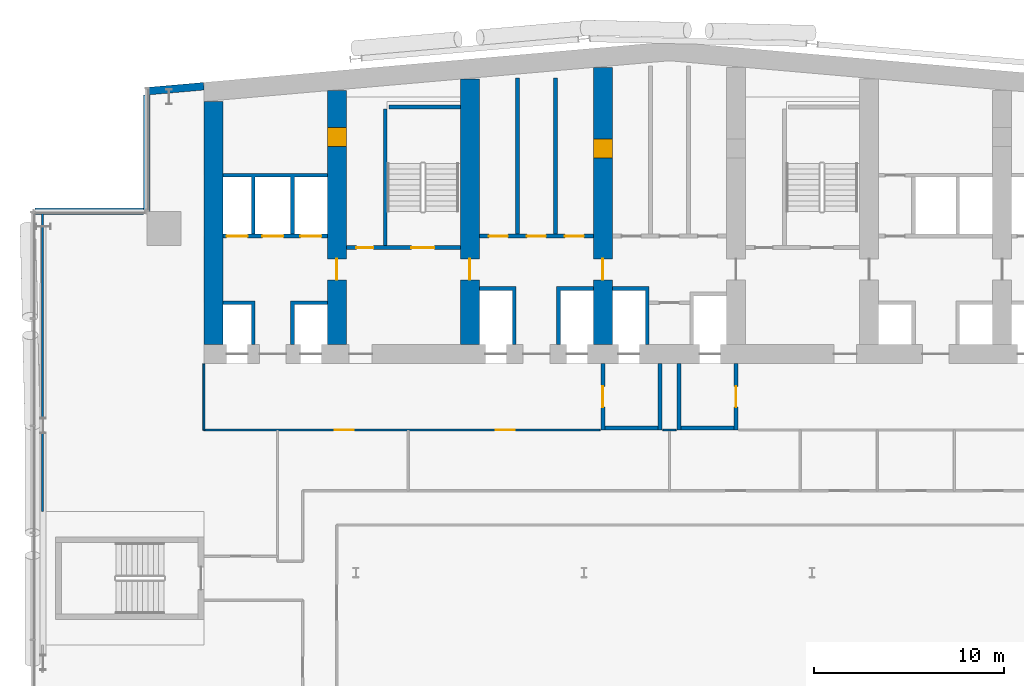
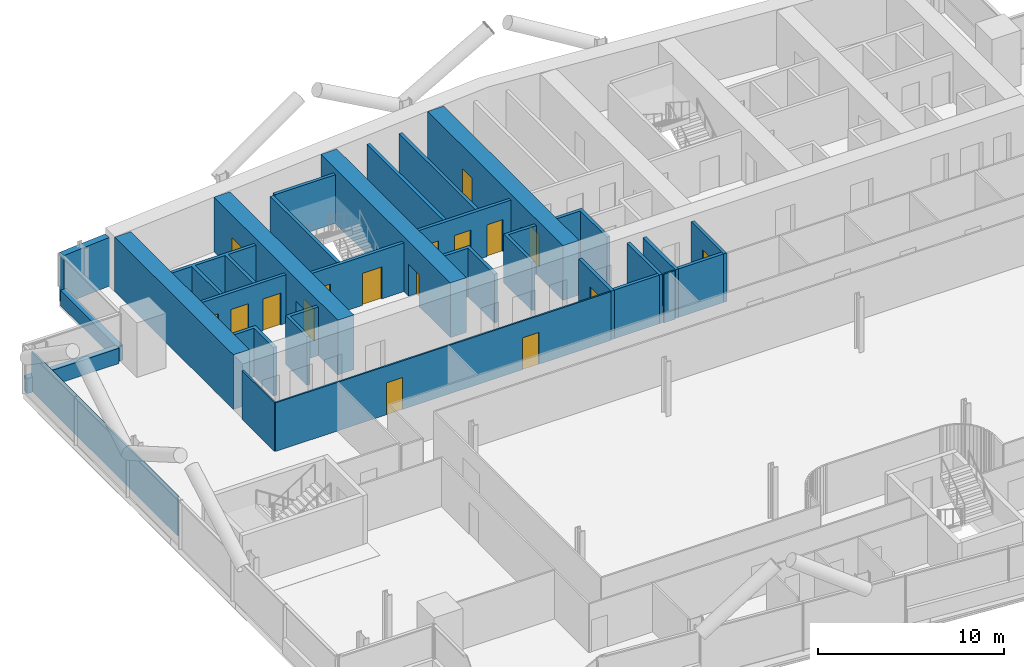
# One storey, part 20 of 30: 30 walls, 17 doors, 17 openings.
"""IFC4 building model written with IfcOpenShell, lengths in metres."""

from ifc_helpers import new_model, si_unit, direction, frame, frame_2d, origin, place, context, subcontext, project, spatial, polyline, rectangle, outline, extrude, material, layer, layer_set, type_object, element, fill, save


model = new_model("IFC4")

# Units and contexts
model_context = context("Model", 3, precision=1e-05, world=origin(), true_north=direction((0.0, 1.0)))
body_context = subcontext(model_context, "Body", "Model", "MODEL_VIEW")
ifc_project = project(units=[si_unit("LENGTHUNIT", "METRE"), si_unit("AREAUNIT", "SQUARE_METRE"), si_unit("VOLUMEUNIT", "CUBIC_METRE"), si_unit("PLANEANGLEUNIT", "RADIAN"), si_unit("MASSUNIT", "GRAM", prefix="KILO")], contexts=[model_context])

# Site, building, storey
site_placement = place(None, origin())
site = spatial("IfcSite", under=ifc_project, at=site_placement, CompositionType="ELEMENT")
building_placement = place(site_placement, origin())
building = spatial("IfcBuilding", under=site, at=building_placement, Name="Wharfspan Tower", CompositionType="ELEMENT")
storey_placement = place(building_placement, frame((0.0, 0.0, 107.5)))
storey = spatial("IfcBuildingStorey", under=building, at=storey_placement, Name="L24", CompositionType="ELEMENT", Elevation=107.5)

# Wall
ifc_material_1 = material(Name="Gypsum board on steel studs", Category="steel")
ifc_layer_1 = layer(ifc_material_1, 0.100098)
ifc_layer_set_1 = layer_set([ifc_layer_1], Name="Gypsum board on steel studs")
wall_type_1 = type_object("IfcWallType", Name="Compartment wall 100 EI 60", PredefinedType="PARTITIONING", material=ifc_layer_set_1)
wall_1_placement = place(storey_placement, frame((16.0, 30.5, 0.0), z_axis=(0.0, 0.0, 1.0), x_axis=(0.0, 1.0, 0.0)))
element("IfcWall", 1, at=wall_1_placement, inside=storey, type_object=wall_type_1, Name="Partition L24.w004", PredefinedType="PARTITIONING", context=body_context, shape_type="SweptSolid", body=[
    extrude(rectangle(XDim=3.47998, YDim=0.100098, at=frame_2d((1.73999, 0.0))), origin(), (0.0, 0.0, 1.0), 3.199951),
])

# Wall, openings, doors
wall_2_placement = place(storey_placement, frame((16.0, 30.5, 0.0), z_axis=(0.0, 0.0, 1.0), x_axis=(1.0, 0.0, 0.0)))
wall_2 = element("IfcWall", 2, at=wall_2_placement, inside=storey, type_object=wall_type_1, Name="Partition L24.w005", PredefinedType="PARTITIONING", context=body_context, shape_type="SweptSolid", body=[
    extrude(rectangle(XDim=20.850098, YDim=0.100098, at=frame_2d((10.425049, 0.0))), origin(), (0.0, 0.0, 1.0), 3.199951),
])
opening_1_placement = place(wall_2_placement, frame((6.89502, 0.0, 0.0)))
opening_1 = element("IfcOpeningElement", 3, at=opening_1_placement, cuts=wall_2, Name="Opening B2-20", PredefinedType="OPENING", context=body_context, shape_type="SweptSolid", body=[
    extrude(rectangle(XDim=1.0, YDim=2.100098, at=frame_2d((0.5, 1.050049))), frame((0.0, 0.060059, 0.0), z_axis=(0.0, -1.0, 0.0), x_axis=(1.0, 0.0, 0.0)), (0.0, 0.0, 1.0), 0.120117),
])
opening_2_placement = place(wall_2_placement, frame((15.370117, 0.0, 0.0)))
opening_2 = element("IfcOpeningElement", 4, at=opening_2_placement, cuts=wall_2, Name="Opening B2-21", PredefinedType="OPENING", context=body_context, shape_type="SweptSolid", body=[
    extrude(rectangle(XDim=1.0, YDim=2.100098, at=frame_2d((0.5, 1.050049))), frame((0.0, 0.060059, 0.0), z_axis=(0.0, -1.0, 0.0), x_axis=(1.0, 0.0, 0.0)), (0.0, 0.0, 1.0), 0.120117),
])
ifc_material_2 = material(Name="Fire-rated timber door leaf in steel frame", Category="steel")
door_type_1 = type_object("IfcDoorType", Name="Door 1000 FD30S Left", OperationType="SINGLE_SWING_LEFT", PredefinedType="DOOR", material=ifc_material_2)
door_1_placement = place(opening_1_placement, origin())
door_1 = element("IfcDoor", 5, at=door_1_placement, inside=storey, type_object=door_type_1, Name="Door B2-20", OperationType="SINGLE_SWING_LEFT", OverallHeight=2.100098, OverallWidth=1.0, PredefinedType="DOOR", context=body_context, shape_type="SweptSolid", body=[
    extrude(rectangle(XDim=1.0, YDim=2.100098, at=frame_2d((0.5, 1.050049))), frame((0.0, 0.024902, 0.0), z_axis=(0.0, -1.0, 0.0), x_axis=(1.0, 0.0, 0.0)), (0.0, 0.0, 1.0), 0.050049),
])
fill(opening_1, door_1)
door_2_placement = place(opening_2_placement, origin())
door_2 = element("IfcDoor", 6, at=door_2_placement, inside=storey, type_object=door_type_1, Name="Door B2-21", OperationType="SINGLE_SWING_LEFT", OverallHeight=2.100098, OverallWidth=1.0, PredefinedType="DOOR", context=body_context, shape_type="SweptSolid", body=[
    extrude(rectangle(XDim=1.0, YDim=2.100098, at=frame_2d((0.5, 1.050049))), frame((0.0, 0.024902, 0.0), z_axis=(0.0, -1.0, 0.0), x_axis=(1.0, 0.0, 0.0)), (0.0, 0.0, 1.0), 0.050049),
])
fill(opening_2, door_2)

# Walls
wall_3_placement = place(storey_placement, frame((40.149902, 30.5, 0.0), z_axis=(0.0, 0.0, 1.0), x_axis=(1.0, 0.0, 0.0)))
element("IfcWall", 7, at=wall_3_placement, inside=storey, type_object=wall_type_1, Name="Partition L24.w005 (2)", PredefinedType="PARTITIONING", context=body_context, shape_type="SweptSolid", body=[
    extrude(rectangle(XDim=0.700195, YDim=0.100098, at=frame_2d((0.350098, 0.0))), origin(), (0.0, 0.0, 1.0), 3.199951),
])
ifc_material_3 = material(Name="Calcium silicate masonry", Category="masonry")
ifc_layer_2 = layer(ifc_material_3, 0.199951)
ifc_layer_set_2 = layer_set([ifc_layer_2], Name="Calcium silicate masonry")
wall_type_2 = type_object("IfcWallType", Name="Core room wall 200", PredefinedType="PARTITIONING", material=ifc_layer_set_2)
for number, where, z_axis, x_axis, name in (
    (8, (32.5, 40.800049, 0.0), (0.0, 0.0, 1.0), (0.0, 1.0, 0.0), "sw:L24:RP3.1"),
    (9, (34.5, 40.800049, 0.0), (0.0, 0.0, 1.0), (0.0, 1.0, 0.0), "sw:L24:RP3.2"),
):
    element("IfcWall", number, at=place(storey_placement, frame(where, z_axis=z_axis, x_axis=x_axis)), inside=storey, type_object=wall_type_2, Name=name, PredefinedType="PARTITIONING", context=body_context, shape_type="SweptSolid", body=[
        extrude(rectangle(XDim=8.232178, YDim=0.199951, at=frame_2d((4.116211, 0.0))), origin(), (0.0, 0.0, 1.0), 3.199951),
    ])
ifc_material_4 = material(Name="Concrete C70/85", Category="concrete")
ifc_layer_3 = layer(ifc_material_4, 1.0)
ifc_layer_set_3 = layer_set([ifc_layer_3], Name="Concrete C70/85")
wall_type_3 = type_object("IfcWallType", Name="Core wall 1000 C70/85", PredefinedType="SHEAR", material=ifc_layer_set_3)
wall_4_placement = place(storey_placement, frame((16.5, 35.0, 0.0), z_axis=(0.0, 0.0, 1.0), x_axis=(0.0, 1.0, 0.0)))
element("IfcWall", 10, at=wall_4_placement, inside=storey, type_object=wall_type_3, Name="Core cross wall EW0 L24", PredefinedType="SHEAR", context=body_context, shape_type="SweptSolid", body=[
    extrude(rectangle(XDim=12.783691, YDim=1.0, at=frame_2d((6.391846, 0.0))), origin(), (0.0, 0.0, 1.0), 3.600098),
])

# Wall, openings, doors
wall_5_placement = place(storey_placement, frame((23.0, 35.0, 0.0), z_axis=(0.0, 0.0, 1.0), x_axis=(0.0, 1.0, 0.0)))
wall_5 = element("IfcWall", 11, at=wall_5_placement, inside=storey, type_object=wall_type_3, Name="Core cross wall X2 L24", PredefinedType="SHEAR", context=body_context, shape_type="SweptSolid", body=[
    extrude(rectangle(XDim=13.352295, YDim=1.0, at=frame_2d((6.67627, 0.0))), origin(), (0.0, 0.0, 1.0), 3.600098),
])
opening_3_placement = place(wall_5_placement, frame((10.425537, 0.0, 0.0)))
opening_3 = element("IfcOpeningElement", 12, at=opening_3_placement, cuts=wall_5, Name="Opening CD24.1X", PredefinedType="OPENING", context=body_context, shape_type="SweptSolid", body=[
    extrude(rectangle(XDim=1.0, YDim=2.100098, at=frame_2d((0.5, 1.050049))), frame((0.0, 0.51001, 0.0), z_axis=(0.0, -1.0, 0.0), x_axis=(1.0, 0.0, 0.0)), (0.0, 0.0, 1.0), 1.02002),
])
opening_4_placement = place(wall_5_placement, frame((3.399902, 0.0, 0.0)))
opening_4 = element("IfcOpeningElement", 13, at=opening_4_placement, cuts=wall_5, Name="Opening CC24.2", PredefinedType="OPENING", context=body_context, shape_type="SweptSolid", body=[
    extrude(rectangle(XDim=1.100098, YDim=2.100098, at=frame_2d((0.550049, 1.050049))), frame((0.0, 0.51001, 0.0), z_axis=(0.0, -1.0, 0.0), x_axis=(1.0, 0.0, 0.0)), (0.0, 0.0, 1.0), 1.02002),
])
ifc_material_5 = material(Name="Steel door leaf", Category="steel")
door_type_2 = type_object("IfcDoorType", Name="Core corridor door 1100x2100", OperationType="SINGLE_SWING_LEFT", PredefinedType="DOOR", material=ifc_material_5)
door_3_placement = place(opening_4_placement, origin())
door_3 = element("IfcDoor", 14, at=door_3_placement, inside=storey, type_object=door_type_2, Name="xd:L24:2", OperationType="SINGLE_SWING_RIGHT", OverallHeight=2.100098, OverallWidth=1.100098, PredefinedType="DOOR", context=body_context, shape_type="SweptSolid", body=[
    extrude(rectangle(XDim=1.100098, YDim=2.100098, at=frame_2d((0.550049, 1.050049))), frame((0.0, 0.024902, 0.0), z_axis=(0.0, -1.0, 0.0), x_axis=(1.0, 0.0, 0.0)), (0.0, 0.0, 1.0), 0.050049),
])
fill(opening_4, door_3)
door_type_3 = type_object("IfcDoorType", Name="Core room door 1000x2100", OperationType="SINGLE_SWING_LEFT", PredefinedType="DOOR", material=ifc_material_5)
door_4_placement = place(opening_3_placement, origin())
door_4 = element("IfcDoor", 15, at=door_4_placement, inside=storey, type_object=door_type_3, Name="d:L24:1:sx", OperationType="SINGLE_SWING_LEFT", OverallHeight=2.100098, OverallWidth=1.0, PredefinedType="DOOR", context=body_context, shape_type="SweptSolid", body=[
    extrude(rectangle(XDim=1.0, YDim=2.100098, at=frame_2d((0.5, 1.050049))), frame((0.0, 0.499756, 0.0), z_axis=(0.0, -1.0, 0.0), x_axis=(1.0, 0.0, 0.0)), (0.0, 0.0, 1.0), 0.999512),
])
fill(opening_3, door_4)

# Wall, opening, door
wall_6_placement = place(storey_placement, frame((30.0, 35.0, 0.0), z_axis=(0.0, 0.0, 1.0), x_axis=(0.0, 1.0, 0.0)))
wall_6 = element("IfcWall", 16, at=wall_6_placement, inside=storey, type_object=wall_type_3, Name="Core cross wall X3 L24", PredefinedType="SHEAR", context=body_context, shape_type="SweptSolid", body=[
    extrude(rectangle(XDim=13.9646, YDim=1.0, at=frame_2d((6.982422, 0.0))), origin(), (0.0, 0.0, 1.0), 3.600098),
])
opening_5_placement = place(wall_6_placement, frame((3.399902, 0.0, 0.0)))
opening_5 = element("IfcOpeningElement", 17, at=opening_5_placement, cuts=wall_6, Name="Opening CC24.3", PredefinedType="OPENING", context=body_context, shape_type="SweptSolid", body=[
    extrude(rectangle(XDim=1.100098, YDim=2.100098, at=frame_2d((0.550049, 1.050049))), frame((0.0, 0.51001, 0.0), z_axis=(0.0, -1.0, 0.0), x_axis=(1.0, 0.0, 0.0)), (0.0, 0.0, 1.0), 1.02002),
])
door_5_placement = place(opening_5_placement, origin())
door_5 = element("IfcDoor", 18, at=door_5_placement, inside=storey, type_object=door_type_2, Name="xd:L24:3", OperationType="SINGLE_SWING_LEFT", OverallHeight=2.100098, OverallWidth=1.100098, PredefinedType="DOOR", context=body_context, shape_type="SweptSolid", body=[
    extrude(rectangle(XDim=1.100098, YDim=2.100098, at=frame_2d((0.550049, 1.050049))), frame((0.0, 0.024902, 0.0), z_axis=(0.0, -1.0, 0.0), x_axis=(1.0, 0.0, 0.0)), (0.0, 0.0, 1.0), 0.050049),
])
fill(opening_5, door_5)

# Wall, openings, doors
wall_7_placement = place(storey_placement, frame((37.0, 35.0, 0.0), z_axis=(0.0, 0.0, 1.0), x_axis=(0.0, 1.0, 0.0)))
wall_7 = element("IfcWall", 19, at=wall_7_placement, inside=storey, type_object=wall_type_3, Name="Core cross wall X4 L24", PredefinedType="SHEAR", context=body_context, shape_type="SweptSolid", body=[
    extrude(rectangle(XDim=14.577148, YDim=1.0, at=frame_2d((7.288574, 0.0))), origin(), (0.0, 0.0, 1.0), 3.600098),
])
opening_6_placement = place(wall_7_placement, frame((3.399902, 0.0, 0.0)))
opening_6 = element("IfcOpeningElement", 20, at=opening_6_placement, cuts=wall_7, Name="Opening CC24.4", PredefinedType="OPENING", context=body_context, shape_type="SweptSolid", body=[
    extrude(rectangle(XDim=1.100098, YDim=2.100098, at=frame_2d((0.550049, 1.050049))), frame((0.0, 0.51001, 0.0), z_axis=(0.0, -1.0, 0.0), x_axis=(1.0, 0.0, 0.0)), (0.0, 0.0, 1.0), 1.02002),
])
opening_7_placement = place(wall_7_placement, frame((9.800049, 0.0, 0.0)))
opening_7 = element("IfcOpeningElement", 21, at=opening_7_placement, cuts=wall_7, Name="Opening CR24.4", PredefinedType="OPENING", context=body_context, shape_type="SweptSolid", body=[
    extrude(rectangle(XDim=1.0, YDim=2.100098, at=frame_2d((0.5, 1.050049))), frame((0.0, 0.51001, 0.0), z_axis=(0.0, -1.0, 0.0), x_axis=(1.0, 0.0, 0.0)), (0.0, 0.0, 1.0), 1.02002),
])
door_6_placement = place(opening_6_placement, origin())
door_6 = element("IfcDoor", 22, at=door_6_placement, inside=storey, type_object=door_type_2, Name="xd:L24:4", OperationType="SINGLE_SWING_RIGHT", OverallHeight=2.100098, OverallWidth=1.100098, PredefinedType="DOOR", context=body_context, shape_type="SweptSolid", body=[
    extrude(rectangle(XDim=1.100098, YDim=2.100098, at=frame_2d((0.550049, 1.050049))), frame((0.0, 0.024902, 0.0), z_axis=(0.0, -1.0, 0.0), x_axis=(1.0, 0.0, 0.0)), (0.0, 0.0, 1.0), 0.050049),
])
fill(opening_6, door_6)
door_7_placement = place(opening_7_placement, origin())
door_7 = element("IfcDoor", 23, at=door_7_placement, inside=storey, type_object=door_type_3, Name="xr:L24:4", OperationType="SINGLE_SWING_RIGHT", OverallHeight=2.100098, OverallWidth=1.0, PredefinedType="DOOR", context=body_context, shape_type="SweptSolid", body=[
    extrude(rectangle(XDim=1.0, YDim=2.100098, at=frame_2d((0.5, 1.050049))), frame((0.0, 0.499756, 0.0), z_axis=(0.0, -1.0, 0.0), x_axis=(1.0, 0.0, 0.0)), (0.0, 0.0, 1.0), 0.999512),
])
fill(opening_7, door_7)

ifc_material_6 = material(Name="Concrete C30/37", Category="concrete")
ifc_layer_4 = layer(ifc_material_6, 0.199951)
ifc_layer_set_4 = layer_set([ifc_layer_4], Name="Concrete C30/37")
wall_type_4 = type_object("IfcWallType", Name="Lift shaft wall 200", PredefinedType="PARTITIONING", material=ifc_layer_set_4)
wall_8_placement = place(storey_placement, frame((17.0, 40.699951, 0.0), z_axis=(0.0, 0.0, 1.0), x_axis=(1.0, 0.0, 0.0)))
wall_8 = element("IfcWall", 24, at=wall_8_placement, inside=storey, type_object=wall_type_4, Name="sw:L24:RF1", PredefinedType="PARTITIONING", context=body_context, shape_type="SweptSolid", body=[
    extrude(rectangle(XDim=5.5, YDim=0.199951, at=frame_2d((2.75, 0.0))), origin(), (0.0, 0.0, 1.0), 3.199951),
])
opening_8_placement = place(wall_8_placement, frame((0.199951, 0.0, 0.0)))
opening_8 = element("IfcOpeningElement", 25, at=opening_8_placement, cuts=wall_8, Name="Opening LD.LA3.L24", PredefinedType="OPENING", context=body_context, shape_type="SweptSolid", body=[
    extrude(rectangle(XDim=1.100098, YDim=2.100098, at=frame_2d((0.550049, 1.050049))), frame((0.0, 0.109863, 0.0), z_axis=(0.0, -1.0, 0.0), x_axis=(1.0, 0.0, 0.0)), (0.0, 0.0, 1.0), 0.219971),
])
opening_9_placement = place(wall_8_placement, frame((2.083252, 0.0, 0.0)))
opening_9 = element("IfcOpeningElement", 26, at=opening_9_placement, cuts=wall_8, Name="Opening LD.LA4.L24", PredefinedType="OPENING", context=body_context, shape_type="SweptSolid", body=[
    extrude(rectangle(XDim=1.100098, YDim=2.100098, at=frame_2d((0.550049, 1.050049))), frame((0.0, 0.109863, 0.0), z_axis=(0.0, -1.0, 0.0), x_axis=(1.0, 0.0, 0.0)), (0.0, 0.0, 1.0), 0.219971),
])
opening_10_placement = place(wall_8_placement, frame((4.083252, 0.0, 0.0)))
opening_10 = element("IfcOpeningElement", 27, at=opening_10_placement, cuts=wall_8, Name="Opening LD.LA5.L24", PredefinedType="OPENING", context=body_context, shape_type="SweptSolid", body=[
    extrude(rectangle(XDim=1.100098, YDim=2.100098, at=frame_2d((0.550049, 1.050049))), frame((0.0, 0.109863, 0.0), z_axis=(0.0, -1.0, 0.0), x_axis=(1.0, 0.0, 0.0)), (0.0, 0.0, 1.0), 0.219971),
])
ifc_material_7 = material(Name="Stainless steel", Category="steel")
door_type_4 = type_object("IfcDoorType", Name="Lift landing door 1100x2100", OperationType="DOUBLE_DOOR_SLIDING", PredefinedType="DOOR", material=ifc_material_7)
door_8_placement = place(opening_8_placement, origin())
door_8 = element("IfcDoor", 28, at=door_8_placement, inside=storey, type_object=door_type_4, Name="Landing door LA3 L24", OperationType="DOUBLE_DOOR_SLIDING", OverallHeight=2.100098, OverallWidth=1.100098, PredefinedType="DOOR", context=body_context, shape_type="SweptSolid", body=[
    extrude(rectangle(XDim=1.100098, YDim=2.100098, at=frame_2d((0.550049, 1.050049))), frame((0.0, 0.024902, 0.0), z_axis=(0.0, -1.0, 0.0), x_axis=(1.0, 0.0, 0.0)), (0.0, 0.0, 1.0), 0.050049),
])
fill(opening_8, door_8)
door_9_placement = place(opening_9_placement, origin())
door_9 = element("IfcDoor", 29, at=door_9_placement, inside=storey, type_object=door_type_4, Name="Landing door LA4 L24", OperationType="DOUBLE_DOOR_SLIDING", OverallHeight=2.100098, OverallWidth=1.100098, PredefinedType="DOOR", context=body_context, shape_type="SweptSolid", body=[
    extrude(rectangle(XDim=1.100098, YDim=2.100098, at=frame_2d((0.550049, 1.050049))), frame((0.0, 0.024902, 0.0), z_axis=(0.0, -1.0, 0.0), x_axis=(1.0, 0.0, 0.0)), (0.0, 0.0, 1.0), 0.050049),
])
fill(opening_9, door_9)
door_10_placement = place(opening_10_placement, origin())
door_10 = element("IfcDoor", 30, at=door_10_placement, inside=storey, type_object=door_type_4, Name="Landing door LA5 L24", OperationType="DOUBLE_DOOR_SLIDING", OverallHeight=2.100098, OverallWidth=1.100098, PredefinedType="DOOR", context=body_context, shape_type="SweptSolid", body=[
    extrude(rectangle(XDim=1.100098, YDim=2.100098, at=frame_2d((0.550049, 1.050049))), frame((0.0, 0.024902, 0.0), z_axis=(0.0, -1.0, 0.0), x_axis=(1.0, 0.0, 0.0)), (0.0, 0.0, 1.0), 0.050049),
])
fill(opening_10, door_10)

# Walls
wall_9_placement = place(storey_placement, frame((0.0, 0.0, -0.000244)))
element("IfcWall", 31, at=wall_9_placement, inside=storey, type_object=wall_type_4, Name="sw:L24:FM1.0", PredefinedType="PARTITIONING", context=body_context, shape_type="SweptSolid", body=[
    extrude(outline(polyline([(18.5, 37.100098), (17.0, 37.100098), (17.0, 37.300049), (18.5, 37.300049), (18.699951, 37.300049), (18.699951, 35.0), (18.5, 35.0), (18.5, 37.100098)])), origin(), (0.0, 0.0, 1.0), 3.200195),
])
wall_10_placement = place(storey_placement, frame((0.0, 0.0, -0.000244)))
element("IfcWall", 32, at=wall_10_placement, inside=storey, type_object=wall_type_4, Name="sw:L24:FM1.1", PredefinedType="PARTITIONING", context=body_context, shape_type="SweptSolid", body=[
    extrude(outline(polyline([(20.56665, 37.300049), (20.766602, 37.300049), (22.5, 37.300049), (22.5, 37.100098), (20.766602, 37.100098), (20.766602, 35.0), (20.56665, 35.0), (20.56665, 37.300049)])), origin(), (0.0, 0.0, 1.0), 3.200195),
])
wall_11_placement = place(storey_placement, frame((0.0, 0.0, -0.000244)))
element("IfcWall", 33, at=wall_11_placement, inside=storey, type_object=wall_type_4, Name="sw:L24:RM1.0", PredefinedType="PARTITIONING", context=body_context, shape_type="SweptSolid", body=[
    extrude(outline(polyline([(18.699951, 40.800049), (18.5, 40.800049), (18.5, 43.800049), (17.0, 43.800049), (17.0, 44.0), (22.5, 44.0), (22.5, 43.800049), (20.766602, 43.800049), (20.766602, 40.800049), (20.56665, 40.800049), (20.56665, 43.800049), (18.699951, 43.800049), (18.699951, 40.800049)])), origin(), (0.0, 0.0, 1.0), 3.200195),
])

# Wall, openings, doors
wall_12_placement = place(storey_placement, frame((30.5, 40.699951, 0.0), z_axis=(0.0, 0.0, 1.0), x_axis=(1.0, 0.0, 0.0)))
wall_12 = element("IfcWall", 34, at=wall_12_placement, inside=storey, type_object=wall_type_4, Name="sw:L24:RF3", PredefinedType="PARTITIONING", context=body_context, shape_type="SweptSolid", body=[
    extrude(rectangle(XDim=6.0, YDim=0.199951, at=frame_2d((3.0, 0.0))), origin(), (0.0, 0.0, 1.0), 3.199951),
])
opening_11_placement = place(wall_12_placement, frame((0.5, 0.0, 0.0)))
opening_11 = element("IfcOpeningElement", 35, at=opening_11_placement, cuts=wall_12, Name="Opening CD24.3S", PredefinedType="OPENING", context=body_context, shape_type="SweptSolid", body=[
    extrude(rectangle(XDim=1.0, YDim=2.100098, at=frame_2d((0.5, 1.050049))), frame((0.0, 0.109863, 0.0), z_axis=(0.0, -1.0, 0.0), x_axis=(1.0, 0.0, 0.0)), (0.0, 0.0, 1.0), 0.219971),
])
opening_12_placement = place(wall_12_placement, frame((2.5, 0.0, 0.0)))
opening_12 = element("IfcOpeningElement", 36, at=opening_12_placement, cuts=wall_12, Name="Opening CD24.3Sa", PredefinedType="OPENING", context=body_context, shape_type="SweptSolid", body=[
    extrude(rectangle(XDim=1.0, YDim=2.100098, at=frame_2d((0.5, 1.050049))), frame((0.0, 0.109863, 0.0), z_axis=(0.0, -1.0, 0.0), x_axis=(1.0, 0.0, 0.0)), (0.0, 0.0, 1.0), 0.219971),
])
opening_13_placement = place(wall_12_placement, frame((4.5, 0.0, 0.0)))
opening_13 = element("IfcOpeningElement", 37, at=opening_13_placement, cuts=wall_12, Name="Opening CD24.3Sb", PredefinedType="OPENING", context=body_context, shape_type="SweptSolid", body=[
    extrude(rectangle(XDim=1.0, YDim=2.100098, at=frame_2d((0.5, 1.050049))), frame((0.0, 0.109863, 0.0), z_axis=(0.0, -1.0, 0.0), x_axis=(1.0, 0.0, 0.0)), (0.0, 0.0, 1.0), 0.219971),
])
door_11_placement = place(opening_11_placement, origin())
door_11 = element("IfcDoor", 38, at=door_11_placement, inside=storey, type_object=door_type_3, Name="d:L24:3:sf", OperationType="SINGLE_SWING_LEFT", OverallHeight=2.100098, OverallWidth=1.0, PredefinedType="DOOR", context=body_context, shape_type="SweptSolid", body=[
    extrude(rectangle(XDim=1.0, YDim=2.100098, at=frame_2d((0.5, 1.050049))), frame((0.0, 0.024902, 0.0), z_axis=(0.0, -1.0, 0.0), x_axis=(1.0, 0.0, 0.0)), (0.0, 0.0, 1.0), 0.050049),
])
fill(opening_11, door_11)
door_12_placement = place(opening_12_placement, origin())
door_12 = element("IfcDoor", 39, at=door_12_placement, inside=storey, type_object=door_type_3, Name="d:L24:3:sf1", OperationType="SINGLE_SWING_LEFT", OverallHeight=2.100098, OverallWidth=1.0, PredefinedType="DOOR", context=body_context, shape_type="SweptSolid", body=[
    extrude(rectangle(XDim=1.0, YDim=2.100098, at=frame_2d((0.5, 1.050049))), frame((0.0, 0.024902, 0.0), z_axis=(0.0, -1.0, 0.0), x_axis=(1.0, 0.0, 0.0)), (0.0, 0.0, 1.0), 0.050049),
])
fill(opening_12, door_12)
door_13_placement = place(opening_13_placement, origin())
door_13 = element("IfcDoor", 40, at=door_13_placement, inside=storey, type_object=door_type_3, Name="d:L24:3:sf2", OperationType="SINGLE_SWING_LEFT", OverallHeight=2.100098, OverallWidth=1.0, PredefinedType="DOOR", context=body_context, shape_type="SweptSolid", body=[
    extrude(rectangle(XDim=1.0, YDim=2.100098, at=frame_2d((0.5, 1.050049))), frame((0.0, 0.024902, 0.0), z_axis=(0.0, -1.0, 0.0), x_axis=(1.0, 0.0, 0.0)), (0.0, 0.0, 1.0), 0.050049),
])
fill(opening_13, door_13)

# Walls
wall_13_placement = place(storey_placement, frame((0.0, 0.0, -0.000244)))
element("IfcWall", 41, at=wall_13_placement, inside=storey, type_object=wall_type_4, Name="sw:L24:FM3.0", PredefinedType="PARTITIONING", context=body_context, shape_type="SweptSolid", body=[
    extrude(outline(polyline([(32.233398, 37.850098), (30.5, 37.850098), (30.5, 38.050049), (32.233398, 38.050049), (32.43335, 38.050049), (32.43335, 35.0), (32.233398, 35.0), (32.233398, 37.850098)])), origin(), (0.0, 0.0, 1.0), 3.200195),
])
wall_14_placement = place(storey_placement, frame((0.0, 0.0, -0.000244)))
element("IfcWall", 42, at=wall_14_placement, inside=storey, type_object=wall_type_4, Name="sw:L24:FM3.1", PredefinedType="PARTITIONING", context=body_context, shape_type="SweptSolid", body=[
    extrude(outline(polyline([(34.56665, 38.050049), (34.766602, 38.050049), (36.5, 38.050049), (36.5, 37.850098), (34.766602, 37.850098), (34.766602, 35.0), (34.56665, 35.0), (34.56665, 38.050049)])), origin(), (0.0, 0.0, 1.0), 3.200195),
])
wall_15_placement = place(storey_placement, frame((0.0, 0.0, -0.000244)))
element("IfcWall", 43, at=wall_15_placement, inside=storey, type_object=wall_type_4, Name="sw:L24:FM4.1", PredefinedType="PARTITIONING", context=body_context, shape_type="SweptSolid", body=[
    extrude(outline(polyline([(39.233398, 37.850098), (37.5, 37.850098), (37.5, 38.050049), (39.233398, 38.050049), (39.43335, 38.050049), (39.43335, 35.0), (39.233398, 35.0), (39.233398, 37.850098)])), origin(), (0.0, 0.0, 1.0), 3.200195),
])

# Wall, opening, door
ifc_layer_5 = layer(ifc_material_6, 0.199951)
ifc_layer_set_5 = layer_set([ifc_layer_5], Name="Concrete C30/37")
wall_type_5 = type_object("IfcWallType", Name="Lobby wall 200", PredefinedType="PARTITIONING", material=ifc_layer_set_5)
wall_16_placement = place(storey_placement, frame((37.0, 30.5, 0.0), z_axis=(0.0, 0.0, 1.0), x_axis=(0.0, 1.0, 0.0)))
wall_16 = element("IfcWall", 44, at=wall_16_placement, inside=storey, type_object=wall_type_5, Name="sw:L24:FLFF1W", PredefinedType="PARTITIONING", context=body_context, shape_type="SweptSolid", body=[
    extrude(rectangle(XDim=3.5, YDim=0.199951, at=frame_2d((1.75, 0.0))), origin(), (0.0, 0.0, 1.0), 3.199951),
])
opening_14_placement = place(wall_16_placement, frame((1.199951, 0.0, 0.0)))
opening_14 = element("IfcOpeningElement", 45, at=opening_14_placement, cuts=wall_16, Name="Opening FL.FF1.L24", PredefinedType="OPENING", context=body_context, shape_type="SweptSolid", body=[
    extrude(rectangle(XDim=1.100098, YDim=2.100098, at=frame_2d((0.550049, 1.050049))), frame((0.0, 0.109863, 0.0), z_axis=(0.0, -1.0, 0.0), x_axis=(1.0, 0.0, 0.0)), (0.0, 0.0, 1.0), 0.219971),
])
door_type_5 = type_object("IfcDoorType", Name="Firefighting lobby door 1100x2100", OperationType="SINGLE_SWING_LEFT", PredefinedType="DOOR", material=ifc_material_5)
door_14_placement = place(opening_14_placement, origin())
door_14 = element("IfcDoor", 46, at=door_14_placement, inside=storey, type_object=door_type_5, Name="fd:L24:FF1", OperationType="SINGLE_SWING_LEFT", OverallHeight=2.100098, OverallWidth=1.100098, PredefinedType="DOOR", context=body_context, shape_type="SweptSolid", body=[
    extrude(rectangle(XDim=1.100098, YDim=2.100098, at=frame_2d((0.550049, 1.050049))), frame((0.0, 0.024902, 0.0), z_axis=(0.0, -1.0, 0.0), x_axis=(1.0, 0.0, 0.0)), (0.0, 0.0, 1.0), 0.050049),
])
fill(opening_14, door_14)

# Walls
wall_17_placement = place(storey_placement, frame((40.0, 30.5, 0.0), z_axis=(0.0, 0.0, 1.0), x_axis=(0.0, 1.0, 0.0)))
element("IfcWall", 47, at=wall_17_placement, inside=storey, type_object=wall_type_5, Name="sw:L24:FLFF1E", PredefinedType="PARTITIONING", context=body_context, shape_type="SweptSolid", body=[
    extrude(rectangle(XDim=3.5, YDim=0.199951, at=frame_2d((1.75, 0.0))), origin(), (0.0, 0.0, 1.0), 3.199951),
])
wall_18_placement = place(storey_placement, frame((37.100098, 30.600098, 0.0), z_axis=(0.0, 0.0, 1.0), x_axis=(1.0, 0.0, 0.0)))
element("IfcWall", 48, at=wall_18_placement, inside=storey, type_object=wall_type_5, Name="sw:L24:FLFF1F", PredefinedType="PARTITIONING", context=body_context, shape_type="SweptSolid", body=[
    extrude(rectangle(XDim=2.799805, YDim=0.199951, at=frame_2d((1.399902, 0.0))), origin(), (0.0, 0.0, 1.0), 3.199951),
])
wall_19_placement = place(storey_placement, frame((41.0, 30.5, 0.0), z_axis=(0.0, 0.0, 1.0), x_axis=(0.0, 1.0, 0.0)))
element("IfcWall", 49, at=wall_19_placement, inside=storey, type_object=wall_type_5, Name="sw:L24:FLFF2W", PredefinedType="PARTITIONING", context=body_context, shape_type="SweptSolid", body=[
    extrude(rectangle(XDim=3.5, YDim=0.199951, at=frame_2d((1.75, 0.0))), origin(), (0.0, 0.0, 1.0), 3.199951),
])

# Wall, opening, door
wall_20_placement = place(storey_placement, frame((44.0, 30.5, 0.0), z_axis=(0.0, 0.0, 1.0), x_axis=(0.0, 1.0, 0.0)))
wall_20 = element("IfcWall", 50, at=wall_20_placement, inside=storey, type_object=wall_type_5, Name="sw:L24:FLFF2E", PredefinedType="PARTITIONING", context=body_context, shape_type="SweptSolid", body=[
    extrude(rectangle(XDim=3.5, YDim=0.199951, at=frame_2d((1.75, 0.0))), origin(), (0.0, 0.0, 1.0), 3.199951),
])
opening_15_placement = place(wall_20_placement, frame((1.199951, 0.0, 0.0)))
opening_15 = element("IfcOpeningElement", 51, at=opening_15_placement, cuts=wall_20, Name="Opening FL.FF2.L24", PredefinedType="OPENING", context=body_context, shape_type="SweptSolid", body=[
    extrude(rectangle(XDim=1.100098, YDim=2.100098, at=frame_2d((0.550049, 1.050049))), frame((0.0, 0.109863, 0.0), z_axis=(0.0, -1.0, 0.0), x_axis=(1.0, 0.0, 0.0)), (0.0, 0.0, 1.0), 0.219971),
])
door_15_placement = place(opening_15_placement, origin())
door_15 = element("IfcDoor", 52, at=door_15_placement, inside=storey, type_object=door_type_5, Name="fd:L24:FF2", OperationType="SINGLE_SWING_LEFT", OverallHeight=2.100098, OverallWidth=1.100098, PredefinedType="DOOR", context=body_context, shape_type="SweptSolid", body=[
    extrude(rectangle(XDim=1.100098, YDim=2.100098, at=frame_2d((0.550049, 1.050049))), frame((0.0, 0.024902, 0.0), z_axis=(0.0, -1.0, 0.0), x_axis=(1.0, 0.0, 0.0)), (0.0, 0.0, 1.0), 0.050049),
])
fill(opening_15, door_15)

# Walls
wall_21_placement = place(storey_placement, frame((41.100098, 30.600098, 0.0), z_axis=(0.0, 0.0, 1.0), x_axis=(1.0, 0.0, 0.0)))
element("IfcWall", 53, at=wall_21_placement, inside=storey, type_object=wall_type_5, Name="sw:L24:FLFF2F", PredefinedType="PARTITIONING", context=body_context, shape_type="SweptSolid", body=[
    extrude(rectangle(XDim=2.799805, YDim=0.199951, at=frame_2d((1.399902, 0.0))), origin(), (0.0, 0.0, 1.0), 3.199951),
])
ifc_layer_6 = layer(ifc_material_1, 0.100098)
ifc_layer_set_6 = layer_set([ifc_layer_6], Name="Gypsum board on steel studs")
wall_type_6 = type_object("IfcWallType", Name="Partition 100", PredefinedType="PARTITIONING", material=ifc_layer_set_6)
wall_22_placement = place(storey_placement, frame((7.51001, 26.219971, 0.0), z_axis=(0.0, 0.0, 1.0), x_axis=(0.0, 1.0, 0.0)))
element("IfcWall", 54, at=wall_22_placement, inside=storey, type_object=wall_type_6, Name="Partition L24.w002", PredefinedType="PARTITIONING", context=body_context, shape_type="SweptSolid", body=[
    extrude(rectangle(XDim=15.76001, YDim=0.100098, at=frame_2d((7.879883, 0.0))), origin(), (0.0, 0.0, 1.0), 2.580078),
])
ifc_material_8 = material(Name="Concrete C40/50", Category="concrete")
ifc_layer_7 = layer(ifc_material_8, 0.350098)
ifc_layer_set_7 = layer_set([ifc_layer_7], Name="Concrete C40/50")
wall_type_7 = type_object("IfcWallType", Name="SPANDREL EXPOSED CONCRETE 350", PredefinedType="SOLIDWALL", material=ifc_layer_set_7)
wall_23_placement = place(storey_placement, frame((12.995117, 48.126465, 0.0), z_axis=(0.0, 0.0, 1.0), x_axis=(0.0, -1.0, 0.0)))
element("IfcWall", 55, at=wall_23_placement, inside=storey, type_object=wall_type_7, Name="Spandrel upstand L24 NRW-V", PredefinedType="SOLIDWALL", context=body_context, shape_type="SweptSolid", body=[
    extrude(rectangle(XDim=6.126465, YDim=0.350098, at=frame_2d((3.063232, 0.0))), origin(), (0.0, 0.0, 1.0), 1.0),
])
wall_24_placement = place(storey_placement, frame((12.820068, 42.004883, 0.0), z_axis=(0.0, 0.0, 1.0), x_axis=(-1.0, 0.0, 0.0)))
element("IfcWall", 56, at=wall_24_placement, inside=storey, type_object=wall_type_7, Name="Spandrel upstand L24 NRW-H", PredefinedType="SOLIDWALL", context=body_context, shape_type="SweptSolid", body=[
    extrude(rectangle(XDim=5.699951, YDim=0.350098, at=frame_2d((2.850098, 0.0))), origin(), (0.0, 0.0, 1.0), 1.0),
])

# Wall, openings, doors
ifc_layer_8 = layer(ifc_material_8, 0.199951)
ifc_layer_set_8 = layer_set([ifc_layer_8], Name="Concrete C40/50")
wall_type_8 = type_object("IfcWallType", Name="Stair shaft wall 200", PredefinedType="SHEAR", material=ifc_layer_set_8)
wall_25_placement = place(storey_placement, frame((23.5, 40.100098, 0.0), z_axis=(0.0, 0.0, 1.0), x_axis=(1.0, 0.0, 0.0)))
wall_25 = element("IfcWall", 57, at=wall_25_placement, inside=storey, type_object=wall_type_8, Name="ST1 stair enclosure wall L24", PredefinedType="SHEAR", context=body_context, shape_type="SweptSolid", body=[
    extrude(rectangle(XDim=6.0, YDim=0.199951, at=frame_2d((3.0, 0.0))), origin(), (0.0, 0.0, 1.0), 3.199951),
])
opening_16_placement = place(wall_25_placement, frame((3.425049, 0.0, 0.0)))
opening_16 = element("IfcOpeningElement", 58, at=opening_16_placement, cuts=wall_25, Name="Opening SD2.L24", PredefinedType="OPENING", context=body_context, shape_type="SweptSolid", body=[
    extrude(rectangle(XDim=1.199951, YDim=2.100098, at=frame_2d((0.600098, 1.050049))), frame((0.0, 0.109863, 0.0), z_axis=(0.0, -1.0, 0.0), x_axis=(1.0, 0.0, 0.0)), (0.0, 0.0, 1.0), 0.219971),
])
opening_17_placement = place(wall_25_placement, frame((0.524902, 0.0, 0.0)))
opening_17 = element("IfcOpeningElement", 59, at=opening_17_placement, cuts=wall_25, Name="Opening CD24.2R", PredefinedType="OPENING", context=body_context, shape_type="SweptSolid", body=[
    extrude(rectangle(XDim=0.899902, YDim=2.100098, at=frame_2d((0.449951, 1.050049))), frame((0.0, 0.109863, 0.0), z_axis=(0.0, -1.0, 0.0), x_axis=(1.0, 0.0, 0.0)), (0.0, 0.0, 1.0), 0.219971),
])
door_16_placement = place(opening_17_placement, origin())
door_16 = element("IfcDoor", 60, at=door_16_placement, inside=storey, type_object=door_type_3, Name="rk:L24:2", OperationType="SINGLE_SWING_LEFT", OverallHeight=2.100098, OverallWidth=0.899902, PredefinedType="DOOR", context=body_context, shape_type="SweptSolid", body=[
    extrude(rectangle(XDim=0.899902, YDim=2.100098, at=frame_2d((0.449951, 1.050049))), frame((0.0, 0.024902, 0.0), z_axis=(0.0, -1.0, 0.0), x_axis=(1.0, 0.0, 0.0)), (0.0, 0.0, 1.0), 0.050049),
])
fill(opening_17, door_16)
door_type_6 = type_object("IfcDoorType", Name="Stair door 1200x2100", OperationType="SINGLE_SWING_LEFT", PredefinedType="DOOR", material=ifc_material_5)
door_17_placement = place(opening_16_placement, origin())
door_17 = element("IfcDoor", 61, at=door_17_placement, inside=storey, type_object=door_type_6, Name="sd:L24:2", OperationType="SINGLE_SWING_RIGHT", OverallHeight=2.100098, OverallWidth=1.199951, PredefinedType="DOOR", context=body_context, shape_type="SweptSolid", body=[
    extrude(rectangle(XDim=1.199951, YDim=2.100098, at=frame_2d((0.600098, 1.050049))), frame((0.0, 0.024902, 0.0), z_axis=(0.0, -1.0, 0.0), x_axis=(1.0, 0.0, 0.0)), (0.0, 0.0, 1.0), 0.050049),
])
fill(opening_16, door_17)

# Walls
wall_26_placement = place(storey_placement, frame((25.550049, 40.199951, 0.0), z_axis=(0.0, 0.0, 1.0), x_axis=(0.0, 1.0, 0.0)))
element("IfcWall", 62, at=wall_26_placement, inside=storey, type_object=wall_type_8, Name="ST1 stair enclosure wall L24", PredefinedType="SHEAR", context=body_context, shape_type="SweptSolid", body=[
    extrude(rectangle(XDim=7.199951, YDim=0.199951, at=frame_2d((3.600098, 0.0))), origin(), (0.0, 0.0, 1.0), 3.199951),
])
wall_27_placement = place(storey_placement, frame((25.75, 47.5, 0.0), z_axis=(0.0, 0.0, 1.0), x_axis=(1.0, 0.0, 0.0)))
element("IfcWall", 63, at=wall_27_placement, inside=storey, type_object=wall_type_8, Name="ST1 stair enclosure wall L24", PredefinedType="SHEAR", context=body_context, shape_type="SweptSolid", body=[
    extrude(rectangle(XDim=3.75, YDim=0.199951, at=frame_2d((1.875, 0.0))), origin(), (0.0, 0.0, 1.0), 3.199951),
])
ifc_layer_9 = layer(ifc_material_8, 0.399902)
ifc_layer_set_9 = layer_set([ifc_layer_9], Name="Concrete C40/50")
wall_type_9 = type_object("IfcWallType", Name="WALL EXPOSED CONCRETE 400", PredefinedType="SOLIDWALL", material=ifc_layer_set_9)
wall_28_placement = place(storey_placement, frame((16.0, 48.58667, 0.0), z_axis=(0.0, 0.0, 1.0), x_axis=(-0.996194, -0.087168, 0.0)))
element("IfcWall", 64, at=wall_28_placement, inside=storey, type_object=wall_type_9, Name="Rear wall N1", PredefinedType="SOLIDWALL", context=body_context, shape_type="SweptSolid", body=[
    extrude(rectangle(XDim=2.994141, YDim=0.399902, at=frame_2d((1.49707, 0.0))), origin(), (0.0, 0.0, 1.0), 3.199951),
])

save(model, "model.ifc")
